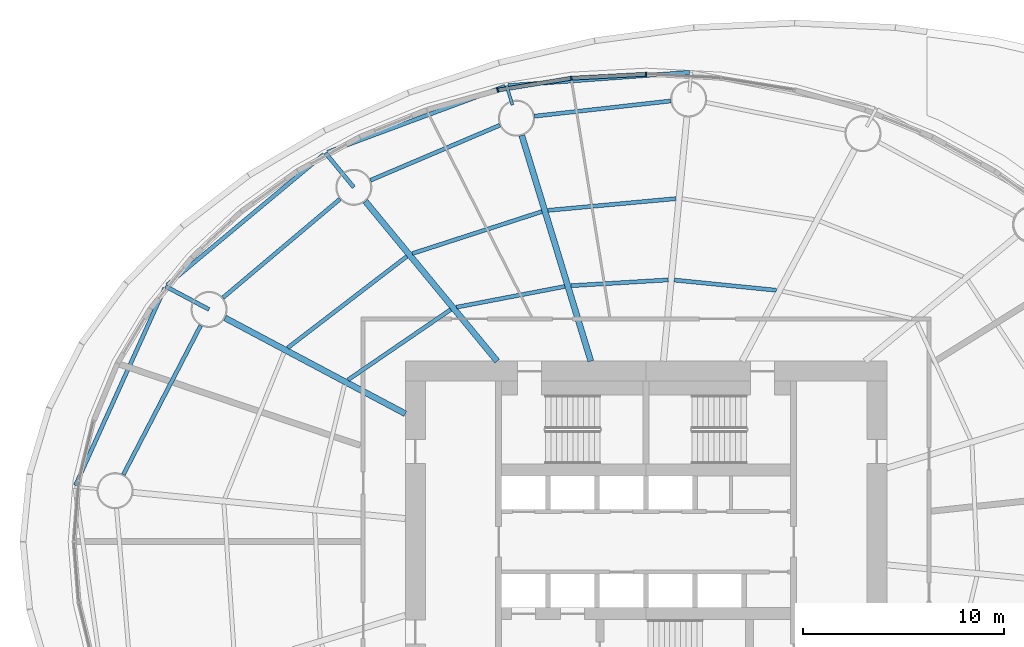
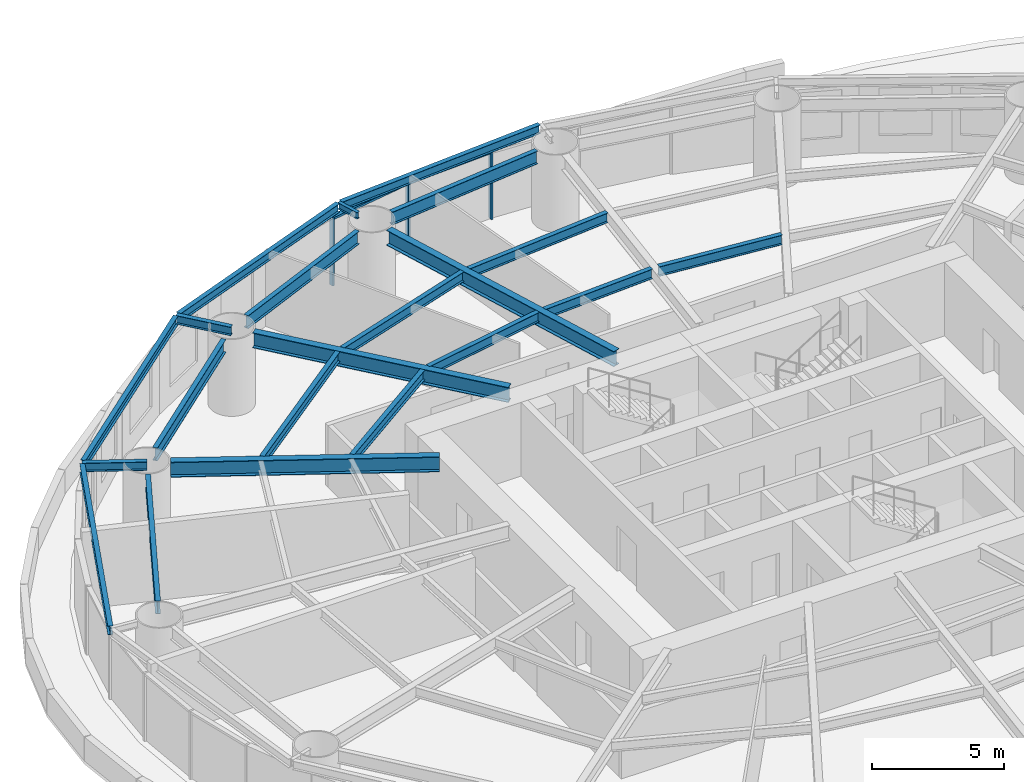
# One storey, part 4 of 11: 21 beams, 5 members, 2 elements without a shape of their own.
"""IFC4 building model written with IfcOpenShell, lengths in metres."""

from ifc_helpers import new_model, si_unit, direction, frame, origin, origin_2d, place, context, subcontext, project, spatial, rectangle, i_section, extrude, material, material_profile, profile_set, type_object, element, aggregate, save


model = new_model("IFC4")

# Units and contexts
model_context = context("Model", 3, precision=1e-05, world=origin(), true_north=direction((0.0, 1.0)))
body_context = subcontext(model_context, "Body", "Model", "MODEL_VIEW")
ifc_project = project(units=[si_unit("LENGTHUNIT", "METRE"), si_unit("AREAUNIT", "SQUARE_METRE"), si_unit("VOLUMEUNIT", "CUBIC_METRE"), si_unit("PLANEANGLEUNIT", "RADIAN"), si_unit("MASSUNIT", "GRAM", prefix="KILO")], contexts=[model_context])

# Site, building, storey
site_placement = place(None, origin())
site = spatial("IfcSite", under=ifc_project, at=site_placement, CompositionType="ELEMENT")
building_placement = place(site_placement, origin())
building = spatial("IfcBuilding", under=site, at=building_placement, Name="Vermilion Reach Broadcast Tower", CompositionType="ELEMENT")
storey_placement = place(building_placement, frame((0.0, 0.0, 36.0)))
storey = spatial("IfcBuildingStorey", under=building, at=storey_placement, Name="L05", CompositionType="ELEMENT", Elevation=36.0)

# Beams
ifc_material_1 = material(Name="Steel S355J2", Category="steel")
ifc_material_profile_1 = material_profile(ifc_material_1, i_section(OverallWidth=0.199951171875, OverallDepth=0.39990234375, WebThickness=0.008056640625, FlangeThickness=0.012939453125, at=origin_2d()), Name="S355J2 HN 400x200x8x13")
ifc_profile_set_1 = profile_set([ifc_material_profile_1], Name="Steel S355J2")
beam_type_1 = type_object("IfcBeamType", Name="EB1 HN 400x200x8x13", PredefinedType="BEAM", material=ifc_profile_set_1)
beam_1_placement = place(storey_placement, frame((-3.826904296875, 23.39306640625, 3.35009765625), z_axis=(-0.997329518282, -0.073033088139, 0.0), x_axis=(0.073033088139, -0.997329518282, 0.0)))
element("IfcBeam", 1, at=beam_1_placement, inside=storey, type_object=beam_type_1, Name="Edge beam EB1-04", PredefinedType="BEAM", context=body_context, shape_type="SweptSolid", body=[
    extrude(i_section(OverallWidth=0.199951171875, OverallDepth=0.39990234375, WebThickness=0.008056640625, FlangeThickness=0.012939453125, at=origin_2d()), origin(), (0.0, 0.0, 1.0), 9.072509765625),
])
beam_2_placement = place(storey_placement, frame((-13.0224609375, 22.69873046875, 3.35009765625), z_axis=(-0.937481904891, -0.348034018455, 0.0), x_axis=(0.348034018455, -0.937481904891, 0.0)))
element("IfcBeam", 2, at=beam_2_placement, inside=storey, type_object=beam_type_1, Name="Edge beam EB1-05", PredefinedType="BEAM", context=body_context, shape_type="SweptSolid", body=[
    extrude(i_section(OverallWidth=0.199951171875, OverallDepth=0.39990234375, WebThickness=0.008056640625, FlangeThickness=0.012939453125, at=origin_2d()), origin(), (0.0, 0.0, 1.0), 9.445556640625),
])
beam_3_placement = place(storey_placement, frame((-22.053466796875, 19.310546875, 3.35009765625), z_axis=(-0.767963452174, -0.640493665952, 0.0), x_axis=(0.640493665952, -0.767963452174, 0.0)))
element("IfcBeam", 3, at=beam_3_placement, inside=storey, type_object=beam_type_1, Name="Edge beam EB1-06", PredefinedType="BEAM", context=body_context, shape_type="SweptSolid", body=[
    extrude(i_section(OverallWidth=0.199951171875, OverallDepth=0.39990234375, WebThickness=0.008056640625, FlangeThickness=0.012939453125, at=origin_2d()), origin(), (0.0, 0.0, 1.0), 10.170166015625),
])
beam_4_placement = place(storey_placement, frame((-29.988037109375, 12.635986328125, 3.35009765625), z_axis=(-0.412296695389, -0.911049633649, 0.0), x_axis=(0.911049633649, -0.412296695389, 0.0)))
element("IfcBeam", 4, at=beam_4_placement, inside=storey, type_object=beam_type_1, Name="Edge beam EB1-07", PredefinedType="BEAM", context=body_context, shape_type="SweptSolid", body=[
    extrude(i_section(OverallWidth=0.199951171875, OverallDepth=0.39990234375, WebThickness=0.008056640625, FlangeThickness=0.012939453125, at=origin_2d()), origin(), (0.0, 0.0, 1.0), 10.787109375),
])
ifc_material_2 = material(Name="Steel S355J2", Category="steel")
ifc_material_profile_2 = material_profile(ifc_material_2, i_section(OverallWidth=0.300048828125, OverallDepth=0.699951171875, WebThickness=0.012939453125, FlangeThickness=0.02392578125, at=origin_2d()), Name="S355J2 HN 700x300x13x24")
ifc_profile_set_2 = profile_set([ifc_material_profile_2], Name="Steel S355J2")
beam_type_2 = type_object("IfcBeamType", Name="G1 HN 700x300x13x24", PredefinedType="BEAM", material=ifc_profile_set_2)
beam_5_placement = place(storey_placement, frame((-8.753173828125, 9.0, 3.199951171875), z_axis=(-0.292542302886, 0.95625258223, 0.0), x_axis=(-0.95625258223, -0.292542302886, 0.0)))
element("IfcBeam", 5, at=beam_5_placement, inside=storey, type_object=beam_type_2, Name="Girder G1-05", PredefinedType="BEAM", context=body_context, shape_type="SweptSolid", body=[
    extrude(i_section(OverallWidth=0.300048828125, OverallDepth=0.699951171875, WebThickness=0.012939453125, FlangeThickness=0.02392578125, at=origin_2d()), origin(), (0.0, 0.0, 1.0), 11.76220703125),
])
beam_6_placement = place(storey_placement, frame((-13.421630859375, 9.0, 3.199951171875), z_axis=(-0.636215165107, 0.77151167437, 0.0), x_axis=(-0.77151167437, -0.636215165107, 0.0)))
element("IfcBeam", 6, at=beam_6_placement, inside=storey, type_object=beam_type_2, Name="Girder G1-06", PredefinedType="BEAM", context=body_context, shape_type="SweptSolid", body=[
    extrude(i_section(OverallWidth=0.300048828125, OverallDepth=0.699951171875, WebThickness=0.012939453125, FlangeThickness=0.02392578125, at=origin_2d()), origin(), (0.0, 0.0, 1.0), 10.3251953125),
])
beam_7_placement = place(storey_placement, frame((-18.0, 6.3779296875, 3.199951171875), z_axis=(-0.883032139419, 0.469312519279, 0.0), x_axis=(-0.469312519279, -0.883032139419, 0.0)))
element("IfcBeam", 7, at=beam_7_placement, inside=storey, type_object=beam_type_2, Name="Girder G1-07", PredefinedType="BEAM", context=body_context, shape_type="SweptSolid", body=[
    extrude(i_section(OverallWidth=0.300048828125, OverallDepth=0.699951171875, WebThickness=0.012939453125, FlangeThickness=0.02392578125, at=origin_2d()), origin(), (0.0, 0.0, 1.0), 10.17529296875),
])
ifc_material_3 = material(Name="Steel S355J2", Category="steel")
ifc_material_profile_3 = material_profile(ifc_material_3, i_section(OverallWidth=0.199951171875, OverallDepth=0.39990234375, WebThickness=0.008056640625, FlangeThickness=0.012939453125, at=origin_2d()), Name="S355J2 HN 400x200x8x13")
ifc_profile_set_3 = profile_set([ifc_material_profile_3], Name="Steel S355J2")
beam_type_3 = type_object("IfcBeamType", Name="GC1 HN 400x200x8x13", PredefinedType="BEAM", material=ifc_profile_set_3)
beam_8_placement = place(storey_placement, frame((-20.563232421875, 17.660400390625, 3.35009765625), z_axis=(-0.636230926771, 0.771498676487, 0.0), x_axis=(-0.771498676487, -0.636230926771, 0.0)))
element("IfcBeam", 8, at=beam_8_placement, inside=storey, type_object=beam_type_3, Name="Cantilever girder GC1-06", PredefinedType="BEAM", context=body_context, shape_type="SweptSolid", body=[
    extrude(i_section(OverallWidth=0.199951171875, OverallDepth=0.39990234375, WebThickness=0.008056640625, FlangeThickness=0.012939453125, at=origin_2d()), origin(), (0.0, 0.0, 1.0), 2.2216796875),
])
beam_9_placement = place(storey_placement, frame((-27.77978515625, 11.57568359375, 3.35009765625), z_axis=(-0.88304872895, 0.469281304017, 0.0), x_axis=(-0.469281304017, -0.88304872895, 0.0)))
element("IfcBeam", 9, at=beam_9_placement, inside=storey, type_object=beam_type_3, Name="Cantilever girder GC1-07", PredefinedType="BEAM", context=body_context, shape_type="SweptSolid", body=[
    extrude(i_section(OverallWidth=0.199951171875, OverallDepth=0.39990234375, WebThickness=0.008056640625, FlangeThickness=0.012939453125, at=origin_2d()), origin(), (0.0, 0.0, 1.0), 2.4541015625),
])
ifc_material_4 = material(Name="Steel S355J2", Category="steel")
ifc_material_profile_4 = material_profile(ifc_material_4, i_section(OverallWidth=0.14990234375, OverallDepth=0.300048828125, WebThickness=0.006591796875, FlangeThickness=0.009033203125, at=origin_2d()), Name="S355J2 HN 300x150x6.5x9")
ifc_profile_set_4 = profile_set([ifc_material_profile_4], Name="Steel S355J2")
beam_type_4 = type_object("IfcBeamType", Name="GS1 HN 300x150x6.5x9", PredefinedType="BEAM", material=ifc_profile_set_4)
beam_10_placement = place(storey_placement, frame((-12.659423828125, 21.768798828125, 3.39990234375), z_axis=(-0.29276438962, 0.956184611971, 0.0), x_axis=(-0.956184611971, -0.29276438962, 0.0)))
element("IfcBeam", 10, at=beam_10_placement, inside=storey, type_object=beam_type_4, Name="Cantilever stub GS1-05", PredefinedType="BEAM", context=body_context, shape_type="SweptSolid", body=[
    extrude(i_section(OverallWidth=0.14990234375, OverallDepth=0.300048828125, WebThickness=0.006591796875, FlangeThickness=0.009033203125, at=origin_2d()), origin(), (0.0, 0.0, 1.0), 0.999755859375),
])
ifc_material_5 = material(Name="Steel S355J2", Category="steel")
ifc_material_profile_5 = material_profile(ifc_material_5, i_section(OverallWidth=0.199951171875, OverallDepth=0.60009765625, WebThickness=0.010986328125, FlangeThickness=0.01708984375, at=origin_2d()), Name="S355J2 HN 600x200x11x17")
ifc_profile_set_5 = profile_set([ifc_material_profile_5], Name="Steel S355J2")
beam_type_5 = type_object("IfcBeamType", Name="RB1 HN 600x200x11x17", PredefinedType="BEAM", material=ifc_profile_set_5)
beam_11_placement = place(storey_placement, frame((-4.77392578125, 21.964111328125, 3.25), z_axis=(-0.993851439324, -0.110721798009, 0.0), x_axis=(0.110721798009, -0.993851439324, 0.0)))
element("IfcBeam", 11, at=beam_11_placement, inside=storey, type_object=beam_type_5, Name="Ring beam RB1-04", PredefinedType="BEAM", context=body_context, shape_type="SweptSolid", body=[
    extrude(i_section(OverallWidth=0.199951171875, OverallDepth=0.60009765625, WebThickness=0.010986328125, FlangeThickness=0.01708984375, at=origin_2d()), origin(), (0.0, 0.0, 1.0), 6.8310546875),
])
beam_12_placement = place(storey_placement, frame((-13.28564453125, 20.755859375, 3.25), z_axis=(-0.920220846584, -0.391399531825, 0.0), x_axis=(0.391399531825, -0.920220846584, 0.0)))
element("IfcBeam", 12, at=beam_12_placement, inside=storey, type_object=beam_type_5, Name="Ring beam RB1-05", PredefinedType="BEAM", context=body_context, shape_type="SweptSolid", body=[
    extrude(i_section(OverallWidth=0.199951171875, OverallDepth=0.60009765625, WebThickness=0.010986328125, FlangeThickness=0.01708984375, at=origin_2d()), origin(), (0.0, 0.0, 1.0), 7.008544921875),
])
beam_13_placement = place(storey_placement, frame((-21.251220703125, 17.080322265625, 3.25), z_axis=(-0.764512441084, -0.6446089725, 0.0), x_axis=(0.6446089725, -0.764512441084, 0.0)))
element("IfcBeam", 13, at=beam_13_placement, inside=storey, type_object=beam_type_5, Name="Ring beam RB1-06", PredefinedType="BEAM", context=body_context, shape_type="SweptSolid", body=[
    extrude(i_section(OverallWidth=0.199951171875, OverallDepth=0.60009765625, WebThickness=0.010986328125, FlangeThickness=0.01708984375, at=origin_2d()), origin(), (0.0, 0.0, 1.0), 7.6396484375),
])
beam_14_placement = place(storey_placement, frame((-28.194091796875, 10.776611328125, 3.25), z_axis=(-0.460411617218, -0.887705549566, 0.0), x_axis=(0.887705549566, -0.460411617218, 0.0)))
element("IfcBeam", 14, at=beam_14_placement, inside=storey, type_object=beam_type_5, Name="Ring beam RB1-07", PredefinedType="BEAM", context=body_context, shape_type="SweptSolid", body=[
    extrude(i_section(OverallWidth=0.199951171875, OverallDepth=0.60009765625, WebThickness=0.010986328125, FlangeThickness=0.01708984375, at=origin_2d()), origin(), (0.0, 0.0, 1.0), 8.37451171875),
])
ifc_material_6 = material(Name="Steel S355J2", Category="steel")
ifc_material_profile_6 = material_profile(ifc_material_6, i_section(OverallWidth=0.199951171875, OverallDepth=0.449951171875, WebThickness=0.009033203125, FlangeThickness=0.013916015625, at=origin_2d()), Name="S355J2 HN 450x200x9x14")
ifc_profile_set_6 = profile_set([ifc_material_profile_6], Name="Steel S355J2")
beam_type_6 = type_object("IfcBeamType", Name="SB1 HN 450x200x9x14", PredefinedType="BEAM", material=ifc_profile_set_6)
beam_15_placement = place(storey_placement, frame((0.490234375, 12.531005859375, 3.324951171875), z_axis=(-0.995010199331, 0.099773259079, 0.0), x_axis=(-0.099773259079, -0.995010199331, 0.0)))
element("IfcBeam", 15, at=beam_15_placement, inside=storey, type_object=beam_type_6, Name="Secondary beam SB1-03-1", PredefinedType="BEAM", context=body_context, shape_type="SweptSolid", body=[
    extrude(i_section(OverallWidth=0.199951171875, OverallDepth=0.449951171875, WebThickness=0.009033203125, FlangeThickness=0.013916015625, at=origin_2d()), origin(), (0.0, 0.0, 1.0), 5.111572265625),
])
beam_16_placement = place(storey_placement, frame((-4.896728515625, 13.046875, 3.324951171875), z_axis=(-0.99823410974, -0.059402543307, 0.0), x_axis=(0.059402543307, -0.99823410974, 0.0)))
element("IfcBeam", 16, at=beam_16_placement, inside=storey, type_object=beam_type_6, Name="Secondary beam SB1-04-1", PredefinedType="BEAM", context=body_context, shape_type="SweptSolid", body=[
    extrude(i_section(OverallWidth=0.199951171875, OverallDepth=0.449951171875, WebThickness=0.009033203125, FlangeThickness=0.013916015625, at=origin_2d()), origin(), (0.0, 0.0, 1.0), 4.85791015625),
])
beam_17_placement = place(storey_placement, frame((-4.50732421875, 17.09814453125, 3.324951171875), z_axis=(-0.995818616382, -0.091352521952, 0.0), x_axis=(0.091352521952, -0.995818616382, 0.0)))
element("IfcBeam", 17, at=beam_17_placement, inside=storey, type_object=beam_type_6, Name="Secondary beam SB1-04-2", PredefinedType="BEAM", context=body_context, shape_type="SweptSolid", body=[
    extrude(i_section(OverallWidth=0.199951171875, OverallDepth=0.449951171875, WebThickness=0.009033203125, FlangeThickness=0.013916015625, at=origin_2d()), origin(), (0.0, 0.0, 1.0), 6.4140625),
])
beam_18_placement = place(storey_placement, frame((-10.04833984375, 12.720703125, 3.324951171875), z_axis=(-0.982151348822, -0.188092339045, 0.0), x_axis=(0.188092339045, -0.982151348822, 0.0)))
element("IfcBeam", 18, at=beam_18_placement, inside=storey, type_object=beam_type_6, Name="Secondary beam SB1-05-1", PredefinedType="BEAM", context=body_context, shape_type="SweptSolid", body=[
    extrude(i_section(OverallWidth=0.199951171875, OverallDepth=0.449951171875, WebThickness=0.009033203125, FlangeThickness=0.013916015625, at=origin_2d()), origin(), (0.0, 0.0, 1.0), 5.4931640625),
])
beam_19_placement = place(storey_placement, frame((-11.18994140625, 16.4521484375, 3.324951171875), z_axis=(-0.951332300844, -0.308166924523, 0.0), x_axis=(0.308166924523, -0.951332300844, 0.0)))
element("IfcBeam", 19, at=beam_19_placement, inside=storey, type_object=beam_type_6, Name="Secondary beam SB1-05-2", PredefinedType="BEAM", context=body_context, shape_type="SweptSolid", body=[
    extrude(i_section(OverallWidth=0.199951171875, OverallDepth=0.449951171875, WebThickness=0.009033203125, FlangeThickness=0.013916015625, at=origin_2d()), origin(), (0.0, 0.0, 1.0), 6.787841796875),
])
beam_20_placement = place(storey_placement, frame((-15.735595703125, 11.5703125, 3.324951171875), z_axis=(-0.825140253447, -0.564927926502, 0.0), x_axis=(0.564927926502, -0.825140253447, 0.0)))
element("IfcBeam", 20, at=beam_20_placement, inside=storey, type_object=beam_type_6, Name="Secondary beam SB1-06-1", PredefinedType="BEAM", context=body_context, shape_type="SweptSolid", body=[
    extrude(i_section(OverallWidth=0.199951171875, OverallDepth=0.449951171875, WebThickness=0.009033203125, FlangeThickness=0.013916015625, at=origin_2d()), origin(), (0.0, 0.0, 1.0), 6.20458984375),
])
beam_21_placement = place(storey_placement, frame((-17.920166015625, 14.21923828125, 3.324951171875), z_axis=(-0.793349617473, -0.60876628065, 0.0), x_axis=(0.60876628065, -0.793349617473, 0.0)))
element("IfcBeam", 21, at=beam_21_placement, inside=storey, type_object=beam_type_6, Name="Secondary beam SB1-06-2", PredefinedType="BEAM", context=body_context, shape_type="SweptSolid", body=[
    extrude(i_section(OverallWidth=0.199951171875, OverallDepth=0.449951171875, WebThickness=0.009033203125, FlangeThickness=0.013916015625, at=origin_2d()), origin(), (0.0, 0.0, 1.0), 7.486328125),
])

# Curtain wall, member
ifc_material_7 = material(Name="Low-e laminated clear glass in aluminium frame", Category="aluminium")
curtain_wall_type = type_object("IfcCurtainWallType", Name="Slot curtain wall", PredefinedType="NOTDEFINED", material=ifc_material_7)
placement = place(storey_placement, origin())
curtain_wall_1 = element("IfcCurtainWall", 22, at=placement, inside=storey, type_object=curtain_wall_type, Name="Slot curtain wall L05 12", PredefinedType="NOTDEFINED")
ifc_material_8 = material(Name="Anodised aluminium", Category="aluminium")
ifc_material_profile_7 = material_profile(ifc_material_8, rectangle(XDim=0.199951171875, YDim=0.080078125, at=origin_2d()), Name="Slot mullion 80 x 200")
ifc_profile_set_7 = profile_set([ifc_material_profile_7], Name="Anodised aluminium")
member_type_1 = type_object("IfcMemberType", Name="Slot mullion 80 x 200", PredefinedType="MULLION", material=ifc_profile_set_7)
member_1_placement = place(storey_placement, frame((-6.0, 23.300048828125, 0.0), z_axis=(0.0, 0.0, 1.0), x_axis=(0.0, -1.0, 0.0)))
member_1 = element("IfcMember", 23, at=member_1_placement, type_object=member_type_1, Name="Slot mullion L05 12", PredefinedType="MULLION", context=body_context, shape_type="SweptSolid", body=[
    extrude(rectangle(XDim=0.199951171875, YDim=0.080078125, at=origin_2d()), origin(), (0.0, 0.0, 1.0), 3.14990234375),
])

# Curtain wall, members
curtain_wall_2 = element("IfcCurtainWall", 24, at=placement, inside=storey, type_object=curtain_wall_type, Name="Slot curtain wall L05 13", PredefinedType="NOTDEFINED")
member_2_placement = place(storey_placement, frame((-9.72705078125, 23.099853515625, 0.0), z_axis=(0.0, 0.0, 1.0), x_axis=(0.10740822796, -0.994215003189, 0.0)))
member_2 = element("IfcMember", 25, at=member_2_placement, type_object=member_type_1, Name="Slot mullion L05 13", PredefinedType="MULLION", context=body_context, shape_type="SweptSolid", body=[
    extrude(rectangle(XDim=0.199951171875, YDim=0.080078125, at=origin_2d()), origin(), (0.0, 0.0, 1.0), 3.14990234375),
])
member_3_placement = place(storey_placement, frame((-13.3896484375, 22.5029296875, 0.0), z_axis=(0.0, 0.0, 1.0), x_axis=(0.214752382861, -0.97666852824, 0.0)))
member_3 = element("IfcMember", 26, at=member_3_placement, type_object=member_type_1, Name="Slot mullion L05 14", PredefinedType="MULLION", context=body_context, shape_type="SweptSolid", body=[
    extrude(rectangle(XDim=0.199951171875, YDim=0.080078125, at=origin_2d()), origin(), (0.0, 0.0, 1.0), 3.14990234375),
])

# Member
ifc_material_9 = material(Name="Anodised aluminium", Category="aluminium")
ifc_material_profile_8 = material_profile(ifc_material_9, rectangle(XDim=0.199951171875, YDim=0.10009765625, at=origin_2d()), Name="Slot transom 200 x 100")
ifc_profile_set_8 = profile_set([ifc_material_profile_8], Name="Anodised aluminium")
member_type_2 = type_object("IfcMemberType", Name="Slot transom 200 x 100", PredefinedType="USERDEFINED", material=ifc_profile_set_8)
member_4_placement = place(storey_placement, frame((-6.0400390625, 23.2978515625, 3.10009765625), z_axis=(-0.998561876476, -0.053611368653, 0.0), x_axis=(0.053611368653, -0.998561876476, 0.0)))
member_4 = element("IfcMember", 27, at=member_4_placement, type_object=member_type_2, Name="Slot transom L05 12.1", ObjectType="TRANSOM", PredefinedType="USERDEFINED", context=body_context, shape_type="SweptSolid", body=[
    extrude(rectangle(XDim=0.199951171875, YDim=0.10009765625, at=origin_2d()), origin(), (0.0, 0.0, 1.0), 3.65234375),
])

aggregate(curtain_wall_1, [member_1, member_4])

member_5_placement = place(storey_placement, frame((-9.766357421875, 23.093505859375, 3.10009765625), z_axis=(-0.986971040368, -0.160897997112, 0.0), x_axis=(0.160897997112, -0.986971040368, 0.0)))
member_5 = element("IfcMember", 28, at=member_5_placement, type_object=member_type_2, Name="Slot transom L05 13.1", ObjectType="TRANSOM", PredefinedType="USERDEFINED", context=body_context, shape_type="SweptSolid", body=[
    extrude(rectangle(XDim=0.199951171875, YDim=0.10009765625, at=origin_2d()), origin(), (0.0, 0.0, 1.0), 3.631103515625),
])

aggregate(curtain_wall_2, [member_2, member_3, member_5])

save(model, "model.ifc")
